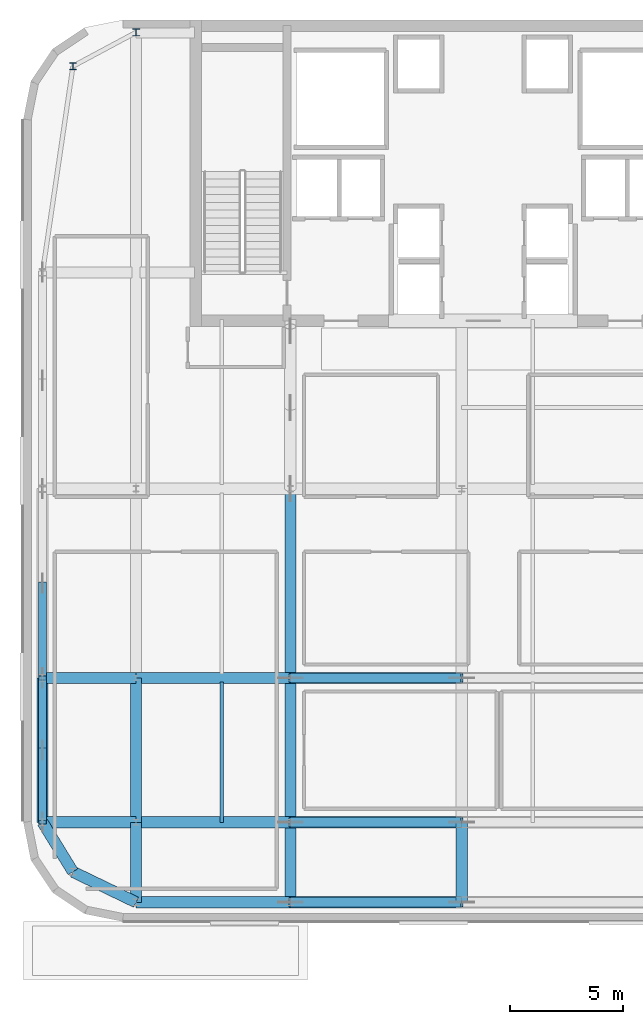
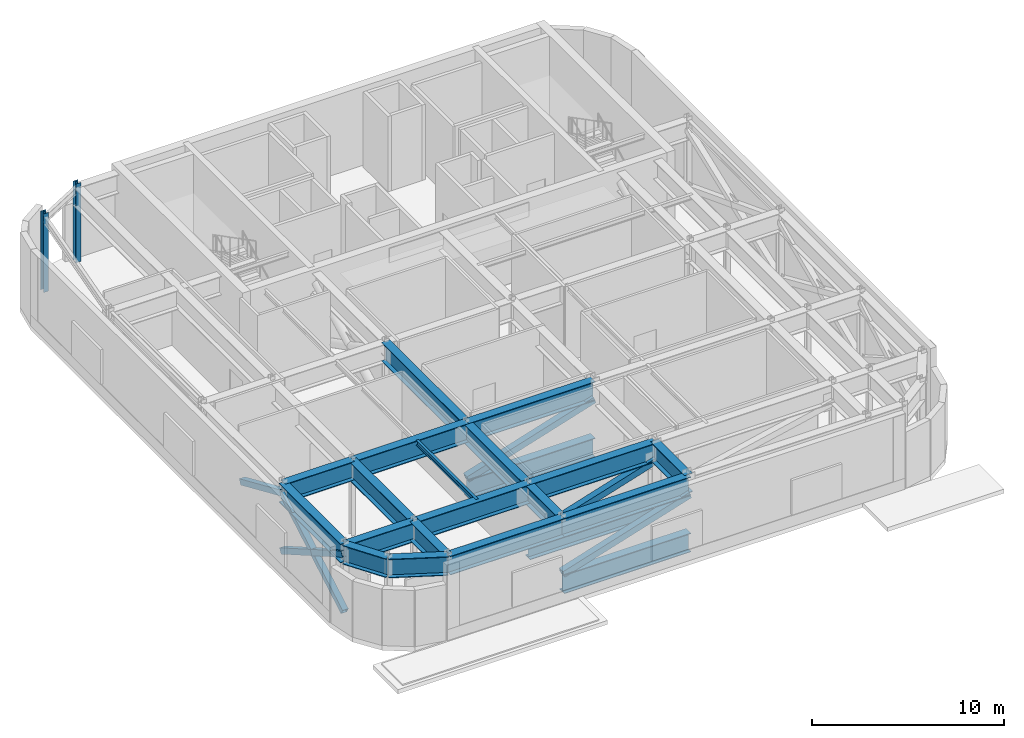
# One storey, part 4 of 13: 19 beams, 7 members, 2 columns.
"""IFC4 building model written with IfcOpenShell, lengths in metres."""

import ifcopenshell
import ifcopenshell.guid

model = None  # the IFC model being written
_history = None  # IfcOwnerHistory: only IFC2X3 demands one
_inside = {}  # id of a spatial element -> (the spatial element, [elements in it])
_under = {}  # id of a project, library or spatial element -> (it, [spatial elements below it])
_declared = {}  # id of a project -> (the project, [libraries it declares])
_typed = {}  # id of a type object -> (the type object, [elements of that type])
_made_of = {}  # id of a material, layer set ... -> (it, [elements and type objects made of it])


def new_model(schema):
    """Start an empty IFC model of exactly this schema.

    Asked for "IFC4X3", IfcOpenShell would pick the latest addendum, in which some entities
    have other attributes; the version numbers below select the first issue.
    IFC2X3 requires an IfcOwnerHistory on every rooted entity: one is made here for all.
    """
    global model, _history
    if schema == "IFC4X3":
        model = ifcopenshell.file(schema_version=(4, 3, 0, 0))
    else:
        model = ifcopenshell.file(schema=schema)
    _inside.clear()
    _under.clear()
    _declared.clear()
    _typed.clear()
    _made_of.clear()
    _history = None
    if model.schema == "IFC2X3":
        org = make("IfcOrganization", Name="unknown")
        user = make(
            "IfcPersonAndOrganization",
            ThePerson=make("IfcPerson", FamilyName="unknown"),
            TheOrganization=org,
        )
        app = make(
            "IfcApplication",
            ApplicationDeveloper=org,
            Version="unknown",
            ApplicationFullName="unknown",
            ApplicationIdentifier="unknown",
        )
        _history = make(
            "IfcOwnerHistory",
            OwningUser=user,
            OwningApplication=app,
            ChangeAction="ADDED",
            CreationDate=0,
        )
    return model


def make(cls, **values):
    """One entity of the class cls with the attributes given. An attribute that is None is left unset."""
    return model.create_entity(
        cls, **{name: value for name, value in values.items() if value is not None}
    )


def rooted(cls, **values):
    """An entity with a GlobalId (a new one), such as an element, a storey or a relation."""
    return make(cls, GlobalId=ifcopenshell.guid.new(), OwnerHistory=_history, **values)


def si_unit(unit_type, name, prefix=None):
    """IfcSIUnit, for example si_unit("LENGTHUNIT", "METRE", prefix="MILLI")."""
    return make("IfcSIUnit", UnitType=unit_type, Prefix=prefix, Name=name)


def assignment(units):
    """IfcUnitAssignment: the units of a project."""
    return None if units is None else make("IfcUnitAssignment", Units=units)


def point(xyz):
    """IfcCartesianPoint."""
    return None if xyz is None else make("IfcCartesianPoint", Coordinates=xyz)


def direction(xyz):
    """IfcDirection."""
    return None if xyz is None else make("IfcDirection", DirectionRatios=xyz)


def frame(location, z_axis=None, x_axis=None):
    """IfcAxis2Placement3D, a coordinate frame: its origin and axes. An axis left out is left unset."""
    return make(
        "IfcAxis2Placement3D",
        Location=point(location),
        Axis=direction(z_axis),
        RefDirection=direction(x_axis),
    )


def frame_2d(location, x_axis=None):
    """IfcAxis2Placement2D, a coordinate frame in the plane: its origin and x axis."""
    return make(
        "IfcAxis2Placement2D", Location=point(location), RefDirection=direction(x_axis)
    )


def origin():
    """The frame at (0, 0, 0) with its axes left unset."""
    return frame((0.0, 0.0, 0.0))


def origin_2d():
    """The frame at (0, 0) in the plane with its x axis left unset."""
    return frame_2d((0.0, 0.0))


def place(relative_to, where):
    """IfcLocalPlacement: puts the frame where relative to a parent placement (None: the world)."""
    return make(
        "IfcLocalPlacement", PlacementRelTo=relative_to, RelativePlacement=where
    )


def context(
    kind, dimensions, precision=None, world=None, true_north=None, identifier=None
):
    """IfcGeometricRepresentationContext, for example the 3D "Model" context."""
    return make(
        "IfcGeometricRepresentationContext",
        ContextIdentifier=identifier,
        ContextType=kind,
        CoordinateSpaceDimension=dimensions,
        Precision=precision,
        WorldCoordinateSystem=world,
        TrueNorth=true_north,
    )


def subcontext(parent, identifier, kind, view, scale=None):
    """IfcGeometricRepresentationSubContext, for example "Body" below "Model"."""
    return make(
        "IfcGeometricRepresentationSubContext",
        ContextIdentifier=identifier,
        ContextType=kind,
        ParentContext=parent,
        TargetScale=scale,
        TargetView=view,
    )


def project(units=None, contexts=None):
    """IfcProject with its units and contexts."""
    return rooted(
        "IfcProject",
        Name="project",
        RepresentationContexts=contexts,
        UnitsInContext=assignment(units),
    )


def spatial(cls, under=None, at=None, **own):
    """A site, building, storey or space (cls), placed at a placement, below another one or the project."""
    s = rooted(cls, ObjectPlacement=at, **own)
    if under is not None:
        _under.setdefault(under.id(), (under, []))[1].append(s)
    return s


def profile(cls, at=None, kind="AREA", **sizes):
    """A parametric profile (cls). Its sizes go by their IFC names, for example OverallWidth=200.0."""
    return make(cls, ProfileType=kind, Position=at, **sizes)


def hollow_rectangle(**sizes):
    """IfcRectangleHollowProfileDef."""
    return profile("IfcRectangleHollowProfileDef", **sizes)


def i_section(**sizes):
    """IfcIShapeProfileDef."""
    return profile("IfcIShapeProfileDef", **sizes)


def extrude(swept, where, along, depth):
    """IfcExtrudedAreaSolid: the profile swept, set in the frame where, extruded along a direction by depth."""
    return make(
        "IfcExtrudedAreaSolid",
        SweptArea=swept,
        Position=where,
        ExtrudedDirection=direction(along),
        Depth=depth,
    )


def shape(context_of_items, identifier, shape_type, items):
    """IfcShapeRepresentation: the items that make up one representation, for example the "Body"."""
    return make(
        "IfcShapeRepresentation",
        ContextOfItems=context_of_items,
        RepresentationIdentifier=identifier,
        RepresentationType=shape_type,
        Items=items,
    )


def source(mapping_origin, context_of_items, identifier, shape_type, items):
    """IfcRepresentationMap: a shape defined once, which mapped items show again and again."""
    return make(
        "IfcRepresentationMap",
        MappingOrigin=mapping_origin,
        MappedRepresentation=shape(context_of_items, identifier, shape_type, items),
    )


def transform(
    local_origin,
    x_axis=None,
    y_axis=None,
    z_axis=None,
    scale=None,
    scale2=None,
    scale3=None,
    uniform=True,
):
    """IfcCartesianTransformationOperator3D, or its non-uniform kind. x_axis, y_axis, z_axis: its Axis1, 2, 3."""
    if uniform:
        return make(
            "IfcCartesianTransformationOperator3D",
            Axis1=direction(x_axis),
            Axis2=direction(y_axis),
            LocalOrigin=point(local_origin),
            Scale=scale,
            Axis3=direction(z_axis),
        )
    return make(
        "IfcCartesianTransformationOperator3DnonUniform",
        Axis1=direction(x_axis),
        Axis2=direction(y_axis),
        LocalOrigin=point(local_origin),
        Scale=scale,
        Axis3=direction(z_axis),
        Scale2=scale2,
        Scale3=scale3,
    )


def mapped(mapping_source, mapping_target):
    """IfcMappedItem: shows the shape of a source again, moved by a transform."""
    return make(
        "IfcMappedItem", MappingSource=mapping_source, MappingTarget=mapping_target
    )


def material(Name=None, Category=None):
    """IfcMaterial."""
    return make("IfcMaterial", Name=Name, Category=Category)


def material_profile(
    of_material, cross_section, Name=None, Category=None, Priority=None
):
    """IfcMaterialProfile: a cross section and its material."""
    return make(
        "IfcMaterialProfile",
        Name=Name,
        Material=of_material,
        Profile=cross_section,
        Priority=Priority,
        Category=Category,
    )


def profile_set(profiles, Name=None, composite=None):
    """IfcMaterialProfileSet."""
    return make(
        "IfcMaterialProfileSet",
        Name=Name,
        MaterialProfiles=profiles,
        CompositeProfile=composite,
    )


def made_of(thing, what):
    """Note that an element or type object is made of a material, layer set ...; save() writes the relation."""
    if what is not None:
        _made_of.setdefault(what.id(), (what, []))[1].append(thing)
    return thing


def type_object(cls, material=None, **own):
    """A type object (cls), such as IfcWallType, which elements share."""
    return made_of(rooted(cls, **own), material)


def type_shapes(of_type, sources):
    """Give a type object the sources (RepresentationMaps) that its elements show as mapped items."""
    of_type.RepresentationMaps = sources


def element(
    cls,
    number,
    at=None,
    inside=None,
    cuts=None,
    type_object=None,
    material=None,
    context=None,
    identifier="Body",
    shape_type=None,
    held_by="IfcProductDefinitionShape",
    body=None,
    shapes=None,
    **own,
):
    """One element of the class cls, such as IfcWall. Its Tag is "e" and its number.

    at: its placement. inside: the storey or other place that contains it. cuts: it is an
    opening in that element (IfcRelVoidsElement). A single representation is given by context,
    identifier, shape_type and body (its items); several are given by shapes. held_by: the class
    of the entity that holds the representations. save() writes the other relations.
    """
    e = rooted(cls, Tag="e%d" % number, ObjectPlacement=at, **own)
    if body is not None:
        shapes = [shape(context, identifier, shape_type, body)]
    if shapes is not None:
        e.Representation = make(held_by, Representations=shapes)
    if inside is not None:
        _inside.setdefault(inside.id(), (inside, []))[1].append(e)
    if cuts is not None:
        rooted(
            "IfcRelVoidsElement", RelatingBuildingElement=cuts, RelatedOpeningElement=e
        )
    if type_object is not None:
        _typed.setdefault(type_object.id(), (type_object, []))[1].append(e)
    return made_of(e, material)


def aggregate(whole, parts):
    """IfcRelAggregates: a whole, such as a stair, and the parts it consists of."""
    return rooted("IfcRelAggregates", RelatingObject=whole, RelatedObjects=parts)


def save(model, path):
    """Write the relations noted so far, then the file.

    IfcRelAggregates (storeys below a building ...), IfcRelContainedInSpatialStructure (elements
    in a storey), IfcRelDefinesByType, IfcRelAssociatesMaterial and IfcRelDeclares: one each for
    every whole, place, type object, material and project.
    """
    for whole, parts in _under.values():
        aggregate(whole, parts)
    for where, things in _inside.values():
        rooted(
            "IfcRelContainedInSpatialStructure",
            RelatedElements=things,
            RelatingStructure=where,
        )
    for kind, things in _typed.values():
        rooted("IfcRelDefinesByType", RelatedObjects=things, RelatingType=kind)
    for what, things in _made_of.values():
        rooted("IfcRelAssociatesMaterial", RelatedObjects=things, RelatingMaterial=what)
    for by, libraries in _declared.values():
        rooted("IfcRelDeclares", RelatingContext=by, RelatedDefinitions=libraries)
    model.write(path)


model = new_model("IFC4")

# Units and contexts
model_context = context("Model", 3, precision=1e-05, world=origin(), true_north=direction((0.0, 1.0)))
body_context = subcontext(model_context, "Body", "Model", "MODEL_VIEW")
ifc_project = project(units=[si_unit("LENGTHUNIT", "METRE"), si_unit("AREAUNIT", "SQUARE_METRE"), si_unit("VOLUMEUNIT", "CUBIC_METRE"), si_unit("PLANEANGLEUNIT", "RADIAN"), si_unit("MASSUNIT", "GRAM", prefix="KILO")], contexts=[model_context])

# Site, building, storey
site_placement = place(None, origin())
site = spatial("IfcSite", under=ifc_project, at=site_placement, CompositionType="ELEMENT")
building_placement = place(site_placement, origin())
building = spatial("IfcBuilding", under=site, at=building_placement, Name="Tolvann Quenvar Hotel", CompositionType="ELEMENT")
storey_placement = place(building_placement, frame((0.0, 0.0, 270.050048828125)))
storey = spatial("IfcBuildingStorey", under=building, at=storey_placement, Name="L72", CompositionType="ELEMENT", Elevation=270.050048828125)

# Columns
ifc_material_1 = material(Name="Steel Grade 350", Category="steel")
ifc_material_profile_1 = material_profile(ifc_material_1, i_section(OverallWidth=0.306884765625, OverallDepth=0.31494140625, WebThickness=0.011962890625, FlangeThickness=0.018798828125, FilletRadius=0.0166015625, at=origin_2d()), Name="310UC118")
ifc_profile_set_1 = profile_set([ifc_material_profile_1], Name="Steel Grade 350")
column_type = type_object("IfcColumnType", Name="COL_310UC118", PredefinedType="COLUMN", material=ifc_profile_set_1)
shared_shape_1 = source(origin(), body_context, "Body", "SweptSolid", [
    extrude(i_section(OverallWidth=0.306884765625, OverallDepth=0.31494140625, WebThickness=0.011962890625, FlangeThickness=0.018798828125, FilletRadius=0.0166015625, at=origin_2d()), origin(), (0.0, 0.0, 1.0), 5.0),
])
type_shapes(column_type, [shared_shape_1])
for number, where, z_axis, x_axis, name in (
    (1, (4.800048828125, 43.14990234375, 0.0), (0.0, 0.0, 1.0), (1.0, 0.0, 0.0), "Column BN (L72)"),
    (2, (7.60009765625, 44.64990234375, 0.0), (0.0, 0.0, 1.0), (1.0, 0.0, 0.0), "Column CN (L72)"),
):
    element("IfcColumn", number, at=place(storey_placement, frame(where, z_axis=z_axis, x_axis=x_axis)), inside=storey, type_object=column_type, Name=name, PredefinedType="COLUMN", context=body_context, shape_type="MappedRepresentation", body=[
        mapped(shared_shape_1, transform((0.0, 0.0, 0.0), x_axis=(1.0, 0.0, 0.0), y_axis=(0.0, 1.0, 0.0), z_axis=(0.0, 0.0, 1.0), scale=1.0)),
    ])

# Beams
ifc_material_profile_2 = material_profile(ifc_material_1, i_section(OverallWidth=0.5, OverallDepth=1.199951171875, WebThickness=0.01611328125, FlangeThickness=0.0400390625, at=origin_2d()), Name="1200WB455")
ifc_profile_set_2 = profile_set([ifc_material_profile_2], Name="Steel Grade 350")
beam_type_1 = type_object("IfcBeamType", Name="BM_TG_1200WB455", PredefinedType="USERDEFINED", material=ifc_profile_set_2)
shared_shape_2 = source(origin(), body_context, "Body", "SweptSolid", [
    extrude(i_section(OverallWidth=0.5, OverallDepth=1.199951171875, WebThickness=0.01611328125, FlangeThickness=0.0400390625, at=origin_2d()), origin(), (0.0, 0.0, 1.0), 3.550048828125),
])
for number, where, z_axis, x_axis, name in (
    (3, (7.60009765625, 6.050048828125, 4.179931640625), (0.0, 1.0, 0.0), (-1.0, 0.0, 0.0), "BM-L72-NS-C2-C3"),
    (4, (22.050048828125, 6.050048828125, 4.179931640625), (0.0, 1.0, 0.0), (-1.0, 0.0, 0.0), "BM-L72-NS-E2-E3"),
):
    element("IfcBeam", number, at=place(storey_placement, frame(where, z_axis=z_axis, x_axis=x_axis)), inside=storey, type_object=beam_type_1, Name=name, ObjectType="TRANSFER GIRDER", PredefinedType="USERDEFINED", context=body_context, shape_type="MappedRepresentation", body=[
        mapped(shared_shape_2, transform((0.0, 0.0, 0.0), x_axis=(1.0, 0.0, 0.0), y_axis=(0.0, 1.0, 0.0), z_axis=(0.0, 0.0, 1.0), scale=1.0)),
    ])
shared_shape_3 = source(origin(), body_context, "Body", "SweptSolid", [
    extrude(i_section(OverallWidth=0.5, OverallDepth=1.199951171875, WebThickness=0.01611328125, FlangeThickness=0.0400390625, at=origin_2d()), origin(), (0.0, 0.0, 1.0), 4.150146484375),
])
for number, where, z_axis, x_axis, name in (
    (5, (3.449951171875, 9.60009765625, 4.179931640625), (1.0, 0.0, 0.0), (0.0, 1.0, 0.0), "BM-L72-EW-3-B3-C3"),
    (6, (3.449951171875, 16.0, 4.179931640625), (1.0, 0.0, 0.0), (0.0, 1.0, 0.0), "BM-L72-EW-4-B4-C4"),
):
    element("IfcBeam", number, at=place(storey_placement, frame(where, z_axis=z_axis, x_axis=x_axis)), inside=storey, type_object=beam_type_1, Name=name, ObjectType="TRANSFER GIRDER", PredefinedType="USERDEFINED", context=body_context, shape_type="MappedRepresentation", body=[
        mapped(shared_shape_3, transform((0.0, 0.0, 0.0), x_axis=(1.0, 0.0, 0.0), y_axis=(0.0, 1.0, 0.0), z_axis=(0.0, 0.0, 1.0), scale=1.0)),
    ])
shared_shape_4 = source(origin(), body_context, "Body", "SweptSolid", [
    extrude(i_section(OverallWidth=0.5, OverallDepth=1.199951171875, WebThickness=0.01611328125, FlangeThickness=0.0400390625, at=origin_2d()), origin(), (0.0, 0.0, 1.0), 6.849853515625),
])
for number, where, z_axis, x_axis, name in (
    (7, (7.60009765625, 6.050048828125, 4.179931640625), (1.0, 0.0, 0.0), (0.0, 1.0, 0.0), "BM-L72-EW-2-C2-D2"),
    (8, (7.60009765625, 9.60009765625, 4.179931640625), (1.0, 0.0, 0.0), (0.0, 1.0, 0.0), "BM-L72-EW-3-C3-D3"),
    (9, (7.60009765625, 16.0, 4.179931640625), (1.0, 0.0, 0.0), (0.0, 1.0, 0.0), "BM-L72-EW-4-C4-D4"),
):
    element("IfcBeam", number, at=place(storey_placement, frame(where, z_axis=z_axis, x_axis=x_axis)), inside=storey, type_object=beam_type_1, Name=name, ObjectType="TRANSFER GIRDER", PredefinedType="USERDEFINED", context=body_context, shape_type="MappedRepresentation", body=[
        mapped(shared_shape_4, transform((0.0, 0.0, 0.0), x_axis=(1.0, 0.0, 0.0), y_axis=(0.0, 1.0, 0.0), z_axis=(0.0, 0.0, 1.0), scale=1.0)),
    ])
shared_shape_5 = source(origin(), body_context, "Body", "SweptSolid", [
    extrude(i_section(OverallWidth=0.5, OverallDepth=1.199951171875, WebThickness=0.01611328125, FlangeThickness=0.0400390625, at=origin_2d()), origin(), (0.0, 0.0, 1.0), 7.60009765625),
])
for number, where, z_axis, x_axis, name in (
    (10, (14.449951171875, 6.050048828125, 4.179931640625), (1.0, 0.0, 0.0), (0.0, 1.0, 0.0), "Wind Portal Vierendeel Top Chord 2-0"),
    (11, (14.449951171875, 6.050048828125, 0.599853515625), (1.0, 0.0, 0.0), (0.0, 1.0, 0.0), "Wind Portal Vierendeel Bottom Chord 2-0"),
    (12, (14.449951171875, 9.60009765625, 4.179931640625), (1.0, 0.0, 0.0), (0.0, 1.0, 0.0), "Wind Portal Vierendeel Top Chord 3-0"),
    (13, (14.449951171875, 9.60009765625, 0.599853515625), (1.0, 0.0, 0.0), (0.0, 1.0, 0.0), "Wind Portal Vierendeel Bottom Chord 3-0"),
    (14, (14.449951171875, 16.0, 4.179931640625), (1.0, 0.0, 0.0), (0.0, 1.0, 0.0), "Wind Portal Vierendeel Top Chord 4-0"),
    (15, (14.449951171875, 16.0, 0.599853515625), (1.0, 0.0, 0.0), (0.0, 1.0, 0.0), "Wind Portal Vierendeel Bottom Chord 4-0"),
):
    element("IfcBeam", number, at=place(storey_placement, frame(where, z_axis=z_axis, x_axis=x_axis)), inside=storey, type_object=beam_type_1, Name=name, ObjectType="TRANSFER GIRDER", PredefinedType="USERDEFINED", context=body_context, shape_type="MappedRepresentation", body=[
        mapped(shared_shape_5, transform((0.0, 0.0, 0.0), x_axis=(1.0, 0.0, 0.0), y_axis=(0.0, 1.0, 0.0), z_axis=(0.0, 0.0, 1.0), scale=1.0)),
    ])
shared_shape_6 = source(origin(), body_context, "Body", "SweptSolid", [
    extrude(i_section(OverallWidth=0.5, OverallDepth=1.199951171875, WebThickness=0.01611328125, FlangeThickness=0.0400390625, at=origin_2d()), origin(), (0.0, 0.0, 1.0), 18.349853515625),
])
beam_1_placement = place(storey_placement, frame((14.449951171875, 6.050048828125, 4.179931640625), z_axis=(0.0, 1.0, 0.0), x_axis=(-1.0, 0.0, 0.0)))
element("IfcBeam", 16, at=beam_1_placement, inside=storey, type_object=beam_type_1, Name="TG-L72-TIE-D", ObjectType="TRANSFER GIRDER", PredefinedType="USERDEFINED", context=body_context, shape_type="MappedRepresentation", body=[
    mapped(shared_shape_6, transform((0.0, 0.0, 0.0), x_axis=(1.0, 0.0, 0.0), y_axis=(0.0, 1.0, 0.0), z_axis=(0.0, 0.0, 1.0), scale=1.0)),
])

# Members
ifc_material_2 = material(Name="Steel Grade 450 (C450L0)", Category="steel")
ifc_material_profile_3 = material_profile(ifc_material_2, hollow_rectangle(XDim=0.39990234375, YDim=0.39990234375, WallThickness=0.01611328125, at=origin_2d()), Name="400x400x16SHS")
ifc_profile_set_3 = profile_set([ifc_material_profile_3], Name="Steel Grade 450 (C450L0)")
member_type_1 = type_object("IfcMemberType", Name="MEM_OUT_400SHS", PredefinedType="BRACE", material=ifc_profile_set_3)
shared_shape_7 = source(origin(), body_context, "Body", "SweptSolid", [
    extrude(hollow_rectangle(XDim=0.39990234375, YDim=0.39990234375, WallThickness=0.01611328125, at=origin_2d()), origin(), (0.0, 0.0, 1.0), 7.964111328125),
])
type_shapes(member_type_1, [shared_shape_7])
for number, where, z_axis, x_axis, name in (
    (17, (14.449951171875, 6.050048828125, 1.199951171875), (0.954306356572, 0.0, 0.298830014901), (0.0, 1.0, 0.0), "Wind Portal Truss Diagonal 2-0"),
    (18, (14.449951171875, 9.60009765625, 1.199951171875), (0.954306356572, 0.0, 0.298830014901), (0.0, 1.0, 0.0), "Wind Portal Truss Diagonal 3-0"),
    (19, (14.449951171875, 16.0, 1.199951171875), (0.954306356572, 0.0, 0.298830014901), (0.0, 1.0, 0.0), "Wind Portal Truss Diagonal 4-0"),
):
    element("IfcMember", number, at=place(storey_placement, frame(where, z_axis=z_axis, x_axis=x_axis)), inside=storey, type_object=member_type_1, Name=name, PredefinedType="BRACE", context=body_context, shape_type="MappedRepresentation", body=[
        mapped(shared_shape_7, transform((0.0, 0.0, 0.0), x_axis=(1.0, 0.0, 0.0), y_axis=(0.0, 1.0, 0.0), z_axis=(0.0, 0.0, 1.0), scale=1.0)),
    ])

# Beams
shared_shape_8 = source(origin(), body_context, "Body", "SweptSolid", [
    extrude(i_section(OverallWidth=0.5, OverallDepth=1.199951171875, WebThickness=0.01611328125, FlangeThickness=0.0400390625, at=origin_2d()), origin(), (0.0, 0.0, 1.0), 3.1083984375),
])
beam_2_placement = place(storey_placement, frame((4.800048828125, 7.39990234375, 4.179931640625), z_axis=(0.900790078459, -0.434254803715, 0.0), x_axis=(0.434254803715, 0.900790078459, 0.0)))
element("IfcBeam", 20, at=beam_2_placement, inside=storey, type_object=beam_type_1, Name="BM-L72-EW-2-B2-C2", ObjectType="TRANSFER GIRDER", PredefinedType="USERDEFINED", context=body_context, shape_type="MappedRepresentation", body=[
    mapped(shared_shape_8, transform((0.0, 0.0, 0.0), x_axis=(1.0, 0.0, 0.0), y_axis=(0.0, 1.0, 0.0), z_axis=(0.0, 0.0, 1.0), scale=1.0)),
])
shared_shape_9 = source(origin(), body_context, "Body", "SweptSolid", [
    extrude(i_section(OverallWidth=0.5, OverallDepth=1.199951171875, WebThickness=0.01611328125, FlangeThickness=0.0400390625, at=origin_2d()), origin(), (0.0, 0.0, 1.0), 2.581298828125),
])
beam_3_placement = place(storey_placement, frame((4.800048828125, 7.39990234375, 4.179931640625), z_axis=(-0.523009973863, 0.852326561384, 0.0), x_axis=(-0.852326561384, -0.523009973863, 0.0)))
element("IfcBeam", 21, at=beam_3_placement, inside=storey, type_object=beam_type_1, Name="BM-L72-NS-B2-B3", ObjectType="TRANSFER GIRDER", PredefinedType="USERDEFINED", context=body_context, shape_type="MappedRepresentation", body=[
    mapped(shared_shape_9, transform((0.0, 0.0, 0.0), x_axis=(1.0, 0.0, 0.0), y_axis=(0.0, 1.0, 0.0), z_axis=(0.0, 0.0, 1.0), scale=1.0)),
])
shared_shape_10 = source(origin(), body_context, "Body", "SweptSolid", [
    extrude(i_section(OverallWidth=0.5, OverallDepth=1.199951171875, WebThickness=0.01611328125, FlangeThickness=0.0400390625, at=origin_2d()), origin(), (0.0, 0.0, 1.0), 6.39990234375),
])
type_shapes(beam_type_1, [shared_shape_2, shared_shape_3, shared_shape_4, shared_shape_5, shared_shape_6, shared_shape_8, shared_shape_9, shared_shape_10])
for number, where, z_axis, x_axis, name in (
    (22, (3.449951171875, 9.60009765625, 4.179931640625), (0.0, 1.0, 0.0), (-1.0, 0.0, 0.0), "BM-L72-NS-B3-B4"),
    (23, (7.60009765625, 9.60009765625, 4.179931640625), (0.0, 1.0, 0.0), (-1.0, 0.0, 0.0), "BM-L72-NS-C3-C4"),
):
    element("IfcBeam", number, at=place(storey_placement, frame(where, z_axis=z_axis, x_axis=x_axis)), inside=storey, type_object=beam_type_1, Name=name, ObjectType="TRANSFER GIRDER", PredefinedType="USERDEFINED", context=body_context, shape_type="MappedRepresentation", body=[
        mapped(shared_shape_10, transform((0.0, 0.0, 0.0), x_axis=(1.0, 0.0, 0.0), y_axis=(0.0, 1.0, 0.0), z_axis=(0.0, 0.0, 1.0), scale=1.0)),
    ])
ifc_material_profile_4 = material_profile(ifc_material_1, i_section(OverallWidth=0.166015625, OverallDepth=0.306884765625, WebThickness=0.006591796875, FlangeThickness=0.01171875, FilletRadius=0.011474609375, at=origin_2d()), Name="310UB46")
ifc_profile_set_4 = profile_set([ifc_material_profile_4], Name="Steel Grade 350")
beam_type_2 = type_object("IfcBeamType", Name="BM_JOIST_310UB46", PredefinedType="JOIST", material=ifc_profile_set_4)
shared_shape_11 = source(origin(), body_context, "Body", "SweptSolid", [
    extrude(i_section(OverallWidth=0.166015625, OverallDepth=0.306884765625, WebThickness=0.006591796875, FlangeThickness=0.01171875, FilletRadius=0.011474609375, at=origin_2d()), origin(), (0.0, 0.0, 1.0), 6.21484375),
])
type_shapes(beam_type_2, [shared_shape_11])
beam_4_placement = place(storey_placement, frame((11.39990234375, 9.60009765625, 4.62646484375), z_axis=(0.0, 1.0, 0.0), x_axis=(-1.0, 0.0, 0.0)))
element("IfcBeam", 24, at=beam_4_placement, inside=storey, type_object=beam_type_2, Name="BJ-L72-114-96", PredefinedType="JOIST", context=body_context, shape_type="MappedRepresentation", body=[
    mapped(shared_shape_11, transform((0.0, 0.0, 0.0), x_axis=(1.0, 0.0, 0.0), y_axis=(0.0, 1.0, 0.0), z_axis=(0.0, 0.0, 1.0), scale=1.0)),
])

# Members
ifc_material_profile_5 = material_profile(ifc_material_2, hollow_rectangle(XDim=0.35009765625, YDim=0.35009765625, WallThickness=0.01611328125, at=origin_2d()), Name="350x350x16SHS")
ifc_profile_set_5 = profile_set([ifc_material_profile_5], Name="Steel Grade 450 (C450L0)")
member_type_2 = type_object("IfcMemberType", Name="MEM_BELT_350SHS", PredefinedType="BRACE", material=ifc_profile_set_5)
shared_shape_12 = source(origin(), body_context, "Body", "SweptSolid", [
    extrude(hollow_rectangle(XDim=0.35009765625, YDim=0.35009765625, WallThickness=0.01611328125, at=origin_2d()), origin(), (0.0, 0.0, 1.0), 7.382568359375),
])
member_1_placement = place(storey_placement, frame((3.449951171875, 9.60009765625, 0.449951171875), z_axis=(0.0, 0.866907017588, 0.498469881594), x_axis=(-1.0, 0.0, 0.0)))
element("IfcMember", 25, at=member_1_placement, inside=storey, type_object=member_type_2, Name="Belt Truss Primary Brace L72-W1A", PredefinedType="BRACE", context=body_context, shape_type="MappedRepresentation", body=[
    mapped(shared_shape_12, transform((0.0, 0.0, 0.0), x_axis=(1.0, 0.0, 0.0), y_axis=(0.0, 1.0, 0.0), z_axis=(0.0, 0.0, 1.0), scale=1.0)),
])
shared_shape_13 = source(origin(), body_context, "Body", "SweptSolid", [
    extrude(hollow_rectangle(XDim=0.35009765625, YDim=0.35009765625, WallThickness=0.01611328125, at=origin_2d()), origin(), (0.0, 0.0, 1.0), 3.69140625),
])
member_2_placement = place(storey_placement, frame((3.449951171875, 16.0, 0.449951171875), z_axis=(0.0, -0.866892726861, 0.498494734291), x_axis=(1.0, 0.0, 0.0)))
element("IfcMember", 26, at=member_2_placement, inside=storey, type_object=member_type_2, Name="Belt Truss Split Brace Lower L72-W1B1", PredefinedType="BRACE", context=body_context, shape_type="MappedRepresentation", body=[
    mapped(shared_shape_13, transform((0.0, 0.0, 0.0), x_axis=(1.0, 0.0, 0.0), y_axis=(0.0, 1.0, 0.0), z_axis=(0.0, 0.0, 1.0), scale=1.0)),
])
shared_shape_14 = source(origin(), body_context, "Body", "SweptSolid", [
    extrude(hollow_rectangle(XDim=0.35009765625, YDim=0.35009765625, WallThickness=0.01611328125, at=origin_2d()), origin(), (0.0, 0.0, 1.0), 3.691162109375),
])
member_3_placement = place(storey_placement, frame((3.449951171875, 12.800048828125, 2.2900390625), z_axis=(0.0, -0.866921308074, 0.498445027668), x_axis=(1.0, 0.0, 0.0)))
element("IfcMember", 27, at=member_3_placement, inside=storey, type_object=member_type_2, Name="Belt Truss Split Brace Upper L72-W1B2", PredefinedType="BRACE", context=body_context, shape_type="MappedRepresentation", body=[
    mapped(shared_shape_14, transform((0.0, 0.0, 0.0), x_axis=(1.0, 0.0, 0.0), y_axis=(0.0, 1.0, 0.0), z_axis=(0.0, 0.0, 1.0), scale=1.0)),
])
shared_shape_15 = source(origin(), body_context, "Body", "SweptSolid", [
    extrude(hollow_rectangle(XDim=0.35009765625, YDim=0.35009765625, WallThickness=0.01611328125, at=origin_2d()), origin(), (0.0, 0.0, 1.0), 4.585205078125),
])
type_shapes(member_type_2, [shared_shape_12, shared_shape_13, shared_shape_14, shared_shape_15])
member_4_placement = place(storey_placement, frame((3.449951171875, 20.199951171875, 2.2900390625), z_axis=(0.0, -0.915967821289, 0.401251729421), x_axis=(1.0, 0.0, 0.0)))
element("IfcMember", 28, at=member_4_placement, inside=storey, type_object=member_type_2, Name="Belt Truss Split Brace Upper L72-W2B2", PredefinedType="BRACE", context=body_context, shape_type="MappedRepresentation", body=[
    mapped(shared_shape_15, transform((0.0, 0.0, 0.0), x_axis=(1.0, 0.0, 0.0), y_axis=(0.0, 1.0, 0.0), z_axis=(0.0, 0.0, 1.0), scale=1.0)),
])

save(model, "model.ifc")
